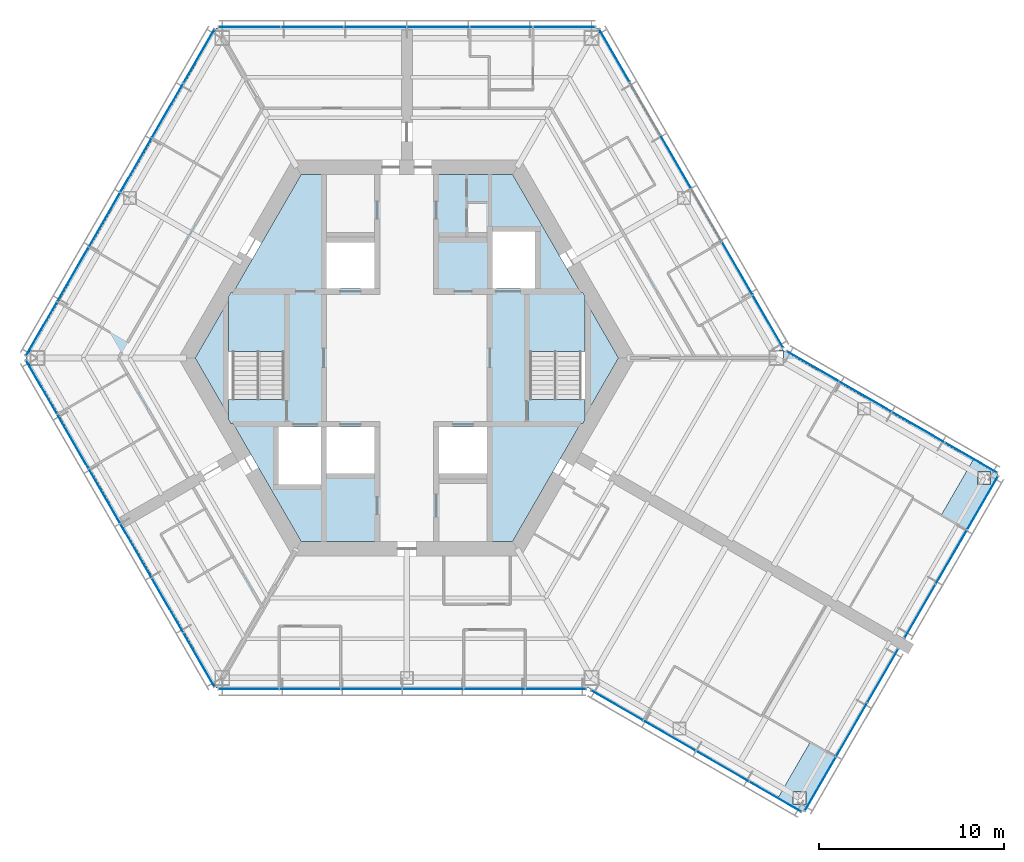
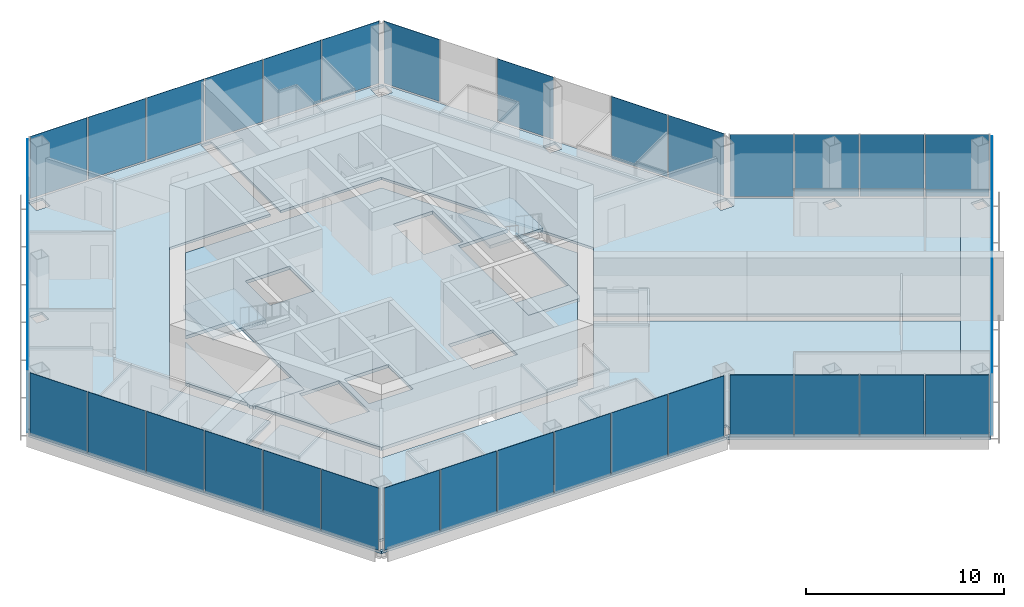
# One storey, part 8 of 17: 42 plates, 9 slabs, 11 elements without a shape of their own.
"""IFC4 building model written with IfcOpenShell, lengths in metres."""

from ifc_helpers import new_model, si_unit, direction, frame, origin, origin_2d, place, context, subcontext, project, spatial, polyline, rectangle, outline, extrude, material, layer, layer_set, type_object, element, aggregate, save


model = new_model("IFC4")

# Units and contexts
model_context = context("Model", 3, precision=1e-05, world=origin(), true_north=direction((0.0, 1.0)))
body_context = subcontext(model_context, "Body", "Model", "MODEL_VIEW")
ifc_project = project(units=[si_unit("LENGTHUNIT", "METRE"), si_unit("AREAUNIT", "SQUARE_METRE"), si_unit("VOLUMEUNIT", "CUBIC_METRE"), si_unit("PLANEANGLEUNIT", "RADIAN"), si_unit("MASSUNIT", "GRAM", prefix="KILO")], contexts=[model_context])

# Site, building, storey
site_placement = place(None, origin())
site = spatial("IfcSite", under=ifc_project, at=site_placement, CompositionType="ELEMENT")
building_placement = place(site_placement, origin())
building = spatial("IfcBuilding", under=site, at=building_placement, Name="Kasaneha Research Tower", CompositionType="ELEMENT")
storey_placement = place(building_placement, frame((0.0, 0.0, 228.39990234375)))
storey = spatial("IfcBuildingStorey", under=building, at=storey_placement, Name="L57", CompositionType="ELEMENT", Elevation=228.39990234375)

# Curtain wall, plates
ifc_material_1 = material(Name="Glass and aluminium", Category="aluminium")
curtain_wall_type = type_object("IfcCurtainWallType", Name="High-rise office curtain wall", PredefinedType="USERDEFINED", material=ifc_material_1)
curtain_wall_1_placement = place(storey_placement, origin())
curtain_wall_1 = element("IfcCurtainWall", 1, at=curtain_wall_1_placement, inside=storey, type_object=curtain_wall_type, Name="CW-O3 L57 run 01a", ObjectType="UNITISED CURTAIN WALL", PredefinedType="USERDEFINED")
ifc_material_2 = material(Name="Laminated double glazing", Category="glass")
ifc_layer_1 = layer(ifc_material_2, 0.02392578125)
ifc_layer_set_1 = layer_set([ifc_layer_1], Name="CW-O3 glazed panel")
plate_type = type_object("IfcPlateType", Name="CW-O3 glazed panel", PredefinedType="CURTAIN_PANEL", material=ifc_layer_set_1)
plate_1_placement = place(storey_placement, frame((19.549072265625, 1.981201171875, 0.06005859375), z_axis=(0.0, 0.0, 1.0), x_axis=(-0.499999979232, 0.866025415775, 0.0)))
plate_1 = element("IfcPlate", 2, at=plate_1_placement, type_object=plate_type, Name="CW-O3 panel 1", PredefinedType="CURTAIN_PANEL", context=body_context, shape_type="SweptSolid", body=[
    extrude(rectangle(XDim=3.240966796875, YDim=0.02392578125, at=origin_2d()), origin(), (0.0, 0.0, 1.0), 3.840087890625),
])
plate_2_placement = place(storey_placement, frame((17.89111328125, 4.852783203125, 0.06005859375), z_axis=(0.0, 0.0, 1.0), x_axis=(-0.499999979232, 0.866025415775, 0.0)))
plate_2 = element("IfcPlate", 3, at=plate_2_placement, type_object=plate_type, Name="CW-O3 panel 2", PredefinedType="CURTAIN_PANEL", context=body_context, shape_type="SweptSolid", body=[
    extrude(rectangle(XDim=3.27099609375, YDim=0.02392578125, at=origin_2d()), origin(), (0.0, 0.0, 1.0), 3.840087890625),
])
plate_3_placement = place(storey_placement, frame((14.56005859375, 10.622314453125, 0.06005859375), z_axis=(0.0, 0.0, 1.0), x_axis=(-0.499999979232, 0.866025415775, 0.0)))
plate_3 = element("IfcPlate", 4, at=plate_3_placement, type_object=plate_type, Name="CW-O3 panel 4", PredefinedType="CURTAIN_PANEL", context=body_context, shape_type="SweptSolid", body=[
    extrude(rectangle(XDim=3.27099609375, YDim=0.02392578125, at=origin_2d()), origin(), (0.0, 0.0, 1.0), 3.840087890625),
])
plate_4_placement = place(storey_placement, frame((11.236572265625, 16.378662109375, 0.06005859375), z_axis=(0.0, 0.0, 1.0), x_axis=(-0.499999979232, 0.866025415775, 0.0)))
plate_4 = element("IfcPlate", 5, at=plate_4_placement, type_object=plate_type, Name="CW-O3 panel 6", PredefinedType="CURTAIN_PANEL", context=body_context, shape_type="SweptSolid", body=[
    extrude(rectangle(XDim=3.240966796875, YDim=0.02392578125, at=origin_2d()), origin(), (0.0, 0.0, 1.0), 3.840087890625),
])
aggregate(curtain_wall_1, [plate_1, plate_2, plate_3, plate_4])

curtain_wall_2_placement = place(storey_placement, origin())
curtain_wall_2 = element("IfcCurtainWall", 6, at=curtain_wall_2_placement, inside=storey, type_object=curtain_wall_type, Name="CW-O3 L57 run 02a", ObjectType="UNITISED CURTAIN WALL", PredefinedType="USERDEFINED")
plate_5_placement = place(storey_placement, frame((8.523681640625, 17.92041015625, 0.06005859375), z_axis=(0.0, 0.0, 1.0), x_axis=(-1.0, 0.0, 0.0)))
plate_5 = element("IfcPlate", 7, at=plate_5_placement, type_object=plate_type, Name="CW-O3 panel 1", PredefinedType="CURTAIN_PANEL", context=body_context, shape_type="SweptSolid", body=[
    extrude(rectangle(XDim=3.325439453125, YDim=0.02392578125, at=origin_2d()), origin(), (0.0, 0.0, 1.0), 3.840087890625),
])
plate_6_placement = place(storey_placement, frame((5.123291015625, 17.92041015625, 0.06005859375), z_axis=(0.0, 0.0, 1.0), x_axis=(-1.0, 0.0, 0.0)))
plate_6 = element("IfcPlate", 8, at=plate_6_placement, type_object=plate_type, Name="CW-O3 panel 2", PredefinedType="CURTAIN_PANEL", context=body_context, shape_type="SweptSolid", body=[
    extrude(rectangle(XDim=3.35546875, YDim=0.02392578125, at=origin_2d()), origin(), (0.0, 0.0, 1.0), 3.840087890625),
])
plate_7_placement = place(storey_placement, frame((1.707763671875, 17.92041015625, 0.06005859375), z_axis=(0.0, 0.0, 1.0), x_axis=(-1.0, 0.0, 0.0)))
plate_7 = element("IfcPlate", 9, at=plate_7_placement, type_object=plate_type, Name="CW-O3 panel 3", PredefinedType="CURTAIN_PANEL", context=body_context, shape_type="SweptSolid", body=[
    extrude(rectangle(XDim=3.35546875, YDim=0.02392578125, at=origin_2d()), origin(), (0.0, 0.0, 1.0), 3.840087890625),
])
plate_8_placement = place(storey_placement, frame((-1.707763671875, 17.92041015625, 0.06005859375), z_axis=(0.0, 0.0, 1.0), x_axis=(-1.0, 0.0, 0.0)))
plate_8 = element("IfcPlate", 10, at=plate_8_placement, type_object=plate_type, Name="CW-O3 panel 4", PredefinedType="CURTAIN_PANEL", context=body_context, shape_type="SweptSolid", body=[
    extrude(rectangle(XDim=3.35546875, YDim=0.02392578125, at=origin_2d()), origin(), (0.0, 0.0, 1.0), 3.840087890625),
])
plate_9_placement = place(storey_placement, frame((-5.123291015625, 17.92041015625, 0.06005859375), z_axis=(0.0, 0.0, 1.0), x_axis=(-1.0, 0.0, 0.0)))
plate_9 = element("IfcPlate", 11, at=plate_9_placement, type_object=plate_type, Name="CW-O3 panel 5", PredefinedType="CURTAIN_PANEL", context=body_context, shape_type="SweptSolid", body=[
    extrude(rectangle(XDim=3.35546875, YDim=0.02392578125, at=origin_2d()), origin(), (0.0, 0.0, 1.0), 3.840087890625),
])
plate_10_placement = place(storey_placement, frame((-8.523681640625, 17.92041015625, 0.06005859375), z_axis=(0.0, 0.0, 1.0), x_axis=(-1.0, 0.0, 0.0)))
plate_10 = element("IfcPlate", 12, at=plate_10_placement, type_object=plate_type, Name="CW-O3 panel 6", PredefinedType="CURTAIN_PANEL", context=body_context, shape_type="SweptSolid", body=[
    extrude(rectangle(XDim=3.325439453125, YDim=0.02392578125, at=origin_2d()), origin(), (0.0, 0.0, 1.0), 3.840087890625),
])
aggregate(curtain_wall_2, [plate_5, plate_6, plate_7, plate_8, plate_9, plate_10])

curtain_wall_3_placement = place(storey_placement, origin())
curtain_wall_3 = element("IfcCurtainWall", 13, at=curtain_wall_3_placement, inside=storey, type_object=curtain_wall_type, Name="CW-O3 L57 run 03a", ObjectType="UNITISED CURTAIN WALL", PredefinedType="USERDEFINED")
plate_11_placement = place(storey_placement, frame((-11.2578125, 16.342041015625, 0.06005859375), z_axis=(0.0, 0.0, 1.0), x_axis=(-0.499999995722, -0.866025406254, 0.0)))
plate_11 = element("IfcPlate", 14, at=plate_11_placement, type_object=plate_type, Name="CW-O3 panel 1", PredefinedType="CURTAIN_PANEL", context=body_context, shape_type="SweptSolid", body=[
    extrude(rectangle(XDim=3.325439453125, YDim=0.02392578125, at=origin_2d()), origin(), (0.0, 0.0, 1.0), 3.840087890625),
])
plate_12_placement = place(storey_placement, frame((-12.9580078125, 13.39697265625, 0.06005859375), z_axis=(0.0, 0.0, 1.0), x_axis=(-0.499999995722, -0.866025406254, 0.0)))
plate_12 = element("IfcPlate", 15, at=plate_12_placement, type_object=plate_type, Name="CW-O3 panel 2", PredefinedType="CURTAIN_PANEL", context=body_context, shape_type="SweptSolid", body=[
    extrude(rectangle(XDim=3.35546875, YDim=0.02392578125, at=origin_2d()), origin(), (0.0, 0.0, 1.0), 3.840087890625),
])
plate_13_placement = place(storey_placement, frame((-14.665771484375, 10.439208984375, 0.06005859375), z_axis=(0.0, 0.0, 1.0), x_axis=(-0.499999995722, -0.866025406254, 0.0)))
plate_13 = element("IfcPlate", 16, at=plate_13_placement, type_object=plate_type, Name="CW-O3 panel 3", PredefinedType="CURTAIN_PANEL", context=body_context, shape_type="SweptSolid", body=[
    extrude(rectangle(XDim=3.35546875, YDim=0.02392578125, at=origin_2d()), origin(), (0.0, 0.0, 1.0), 3.840087890625),
])
plate_14_placement = place(storey_placement, frame((-16.37353515625, 7.481201171875, 0.06005859375), z_axis=(0.0, 0.0, 1.0), x_axis=(-0.499999995722, -0.866025406254, 0.0)))
plate_14 = element("IfcPlate", 17, at=plate_14_placement, type_object=plate_type, Name="CW-O3 panel 4", PredefinedType="CURTAIN_PANEL", context=body_context, shape_type="SweptSolid", body=[
    extrude(rectangle(XDim=3.35546875, YDim=0.02392578125, at=origin_2d()), origin(), (0.0, 0.0, 1.0), 3.840087890625),
])
plate_15_placement = place(storey_placement, frame((-18.081298828125, 4.5234375, 0.06005859375), z_axis=(0.0, 0.0, 1.0), x_axis=(-0.499999995722, -0.866025406254, 0.0)))
plate_15 = element("IfcPlate", 18, at=plate_15_placement, type_object=plate_type, Name="CW-O3 panel 5", PredefinedType="CURTAIN_PANEL", context=body_context, shape_type="SweptSolid", body=[
    extrude(rectangle(XDim=3.35546875, YDim=0.02392578125, at=origin_2d()), origin(), (0.0, 0.0, 1.0), 3.840087890625),
])
plate_16_placement = place(storey_placement, frame((-19.781494140625, 1.57861328125, 0.06005859375), z_axis=(0.0, 0.0, 1.0), x_axis=(-0.499999995722, -0.866025406254, 0.0)))
plate_16 = element("IfcPlate", 19, at=plate_16_placement, type_object=plate_type, Name="CW-O3 panel 6", PredefinedType="CURTAIN_PANEL", context=body_context, shape_type="SweptSolid", body=[
    extrude(rectangle(XDim=3.325439453125, YDim=0.02392578125, at=origin_2d()), origin(), (0.0, 0.0, 1.0), 3.840087890625),
])
aggregate(curtain_wall_3, [plate_11, plate_12, plate_13, plate_14, plate_15, plate_16])

curtain_wall_4_placement = place(storey_placement, origin())
curtain_wall_4 = element("IfcCurtainWall", 20, at=curtain_wall_4_placement, inside=storey, type_object=curtain_wall_type, Name="CW-O3 L57 run 04a", ObjectType="UNITISED CURTAIN WALL", PredefinedType="USERDEFINED")
plate_17_placement = place(storey_placement, frame((-19.781494140625, -1.57861328125, 0.06005859375), z_axis=(0.0, 0.0, 1.0), x_axis=(0.499999995722, -0.866025406254, 0.0)))
plate_17 = element("IfcPlate", 21, at=plate_17_placement, type_object=plate_type, Name="CW-O3 panel 1", PredefinedType="CURTAIN_PANEL", context=body_context, shape_type="SweptSolid", body=[
    extrude(rectangle(XDim=3.325439453125, YDim=0.02392578125, at=origin_2d()), origin(), (0.0, 0.0, 1.0), 3.840087890625),
])
plate_18_placement = place(storey_placement, frame((-18.081298828125, -4.5234375, 0.06005859375), z_axis=(0.0, 0.0, 1.0), x_axis=(0.499999995722, -0.866025406254, 0.0)))
plate_18 = element("IfcPlate", 22, at=plate_18_placement, type_object=plate_type, Name="CW-O3 panel 2", PredefinedType="CURTAIN_PANEL", context=body_context, shape_type="SweptSolid", body=[
    extrude(rectangle(XDim=3.35546875, YDim=0.02392578125, at=origin_2d()), origin(), (0.0, 0.0, 1.0), 3.840087890625),
])
plate_19_placement = place(storey_placement, frame((-16.37353515625, -7.481201171875, 0.06005859375), z_axis=(0.0, 0.0, 1.0), x_axis=(0.499999995722, -0.866025406254, 0.0)))
plate_19 = element("IfcPlate", 23, at=plate_19_placement, type_object=plate_type, Name="CW-O3 panel 3", PredefinedType="CURTAIN_PANEL", context=body_context, shape_type="SweptSolid", body=[
    extrude(rectangle(XDim=3.35546875, YDim=0.02392578125, at=origin_2d()), origin(), (0.0, 0.0, 1.0), 3.840087890625),
])
plate_20_placement = place(storey_placement, frame((-14.665771484375, -10.439208984375, 0.06005859375), z_axis=(0.0, 0.0, 1.0), x_axis=(0.499999995722, -0.866025406254, 0.0)))
plate_20 = element("IfcPlate", 24, at=plate_20_placement, type_object=plate_type, Name="CW-O3 panel 4", PredefinedType="CURTAIN_PANEL", context=body_context, shape_type="SweptSolid", body=[
    extrude(rectangle(XDim=3.35546875, YDim=0.02392578125, at=origin_2d()), origin(), (0.0, 0.0, 1.0), 3.840087890625),
])
plate_21_placement = place(storey_placement, frame((-12.9580078125, -13.39697265625, 0.06005859375), z_axis=(0.0, 0.0, 1.0), x_axis=(0.499999995722, -0.866025406254, 0.0)))
plate_21 = element("IfcPlate", 25, at=plate_21_placement, type_object=plate_type, Name="CW-O3 panel 5", PredefinedType="CURTAIN_PANEL", context=body_context, shape_type="SweptSolid", body=[
    extrude(rectangle(XDim=3.35546875, YDim=0.02392578125, at=origin_2d()), origin(), (0.0, 0.0, 1.0), 3.840087890625),
])
plate_22_placement = place(storey_placement, frame((-11.2578125, -16.342041015625, 0.06005859375), z_axis=(0.0, 0.0, 1.0), x_axis=(0.499999995722, -0.866025406254, 0.0)))
plate_22 = element("IfcPlate", 26, at=plate_22_placement, type_object=plate_type, Name="CW-O3 panel 6", PredefinedType="CURTAIN_PANEL", context=body_context, shape_type="SweptSolid", body=[
    extrude(rectangle(XDim=3.325439453125, YDim=0.02392578125, at=origin_2d()), origin(), (0.0, 0.0, 1.0), 3.840087890625),
])
aggregate(curtain_wall_4, [plate_17, plate_18, plate_19, plate_20, plate_21, plate_22])

curtain_wall_5_placement = place(storey_placement, origin())
curtain_wall_5 = element("IfcCurtainWall", 27, at=curtain_wall_5_placement, inside=storey, type_object=curtain_wall_type, Name="CW-O3 L57 run 05a", ObjectType="UNITISED CURTAIN WALL", PredefinedType="USERDEFINED")
plate_23_placement = place(storey_placement, frame((-8.56591796875, -17.92041015625, 0.06005859375), z_axis=(0.0, 0.0, 1.0), x_axis=(1.0, 0.0, 0.0)))
plate_23 = element("IfcPlate", 28, at=plate_23_placement, type_object=plate_type, Name="CW-O3 panel 1", PredefinedType="CURTAIN_PANEL", context=body_context, shape_type="SweptSolid", body=[
    extrude(rectangle(XDim=3.240966796875, YDim=0.02392578125, at=origin_2d()), origin(), (0.0, 0.0, 1.0), 3.840087890625),
])
plate_24_placement = place(storey_placement, frame((-5.25, -17.92041015625, 0.06005859375), z_axis=(0.0, 0.0, 1.0), x_axis=(1.0, 0.0, 0.0)))
plate_24 = element("IfcPlate", 29, at=plate_24_placement, type_object=plate_type, Name="CW-O3 panel 2", PredefinedType="CURTAIN_PANEL", context=body_context, shape_type="SweptSolid", body=[
    extrude(rectangle(XDim=3.27099609375, YDim=0.02392578125, at=origin_2d()), origin(), (0.0, 0.0, 1.0), 3.840087890625),
])
plate_25_placement = place(storey_placement, frame((-1.9189453125, -17.92041015625, 0.06005859375), z_axis=(0.0, 0.0, 1.0), x_axis=(1.0, 0.0, 0.0)))
plate_25 = element("IfcPlate", 30, at=plate_25_placement, type_object=plate_type, Name="CW-O3 panel 3", PredefinedType="CURTAIN_PANEL", context=body_context, shape_type="SweptSolid", body=[
    extrude(rectangle(XDim=3.27099609375, YDim=0.02392578125, at=origin_2d()), origin(), (0.0, 0.0, 1.0), 3.840087890625),
])
plate_26_placement = place(storey_placement, frame((1.411865234375, -17.92041015625, 0.06005859375), z_axis=(0.0, 0.0, 1.0), x_axis=(1.0, 0.0, 0.0)))
plate_26 = element("IfcPlate", 31, at=plate_26_placement, type_object=plate_type, Name="CW-O3 panel 4", PredefinedType="CURTAIN_PANEL", context=body_context, shape_type="SweptSolid", body=[
    extrude(rectangle(XDim=3.27099609375, YDim=0.02392578125, at=origin_2d()), origin(), (0.0, 0.0, 1.0), 3.840087890625),
])
plate_27_placement = place(storey_placement, frame((4.742919921875, -17.92041015625, 0.06005859375), z_axis=(0.0, 0.0, 1.0), x_axis=(1.0, 0.0, 0.0)))
plate_27 = element("IfcPlate", 32, at=plate_27_placement, type_object=plate_type, Name="CW-O3 panel 5", PredefinedType="CURTAIN_PANEL", context=body_context, shape_type="SweptSolid", body=[
    extrude(rectangle(XDim=3.27099609375, YDim=0.02392578125, at=origin_2d()), origin(), (0.0, 0.0, 1.0), 3.840087890625),
])
plate_28_placement = place(storey_placement, frame((8.058837890625, -17.92041015625, 0.06005859375), z_axis=(0.0, 0.0, 1.0), x_axis=(1.0, 0.0, 0.0)))
plate_28 = element("IfcPlate", 33, at=plate_28_placement, type_object=plate_type, Name="CW-O3 panel 6", PredefinedType="CURTAIN_PANEL", context=body_context, shape_type="SweptSolid", body=[
    extrude(rectangle(XDim=3.240966796875, YDim=0.02392578125, at=origin_2d()), origin(), (0.0, 0.0, 1.0), 3.840087890625),
])
aggregate(curtain_wall_5, [plate_23, plate_24, plate_25, plate_26, plate_27, plate_28])

curtain_wall_6_placement = place(storey_placement, origin())
curtain_wall_6 = element("IfcCurtainWall", 34, at=curtain_wall_6_placement, inside=storey, type_object=curtain_wall_type, Name="CW-O3 L57 run 06a", ObjectType="UNITISED CURTAIN WALL", PredefinedType="USERDEFINED")
plate_29_placement = place(storey_placement, frame((11.3720703125, -18.805419921875, 0.06005859375), z_axis=(0.0, 0.0, 1.0), x_axis=(0.866025411464, -0.499999986699, 0.0)))
plate_29 = element("IfcPlate", 35, at=plate_29_placement, type_object=plate_type, Name="CW-O3 panel 1", PredefinedType="CURTAIN_PANEL", context=body_context, shape_type="SweptSolid", body=[
    extrude(rectangle(XDim=3.2197265625, YDim=0.02392578125, at=origin_2d()), origin(), (0.0, 0.0, 1.0), 3.840087890625),
])
plate_30_placement = place(storey_placement, frame((14.225341796875, -20.452880859375, 0.06005859375), z_axis=(0.0, 0.0, 1.0), x_axis=(0.866025411464, -0.499999986699, 0.0)))
plate_30 = element("IfcPlate", 36, at=plate_30_placement, type_object=plate_type, Name="CW-O3 panel 2", PredefinedType="CURTAIN_PANEL", context=body_context, shape_type="SweptSolid", body=[
    extrude(rectangle(XDim=3.249755859375, YDim=0.02392578125, at=origin_2d()), origin(), (0.0, 0.0, 1.0), 3.840087890625),
])
plate_31_placement = place(storey_placement, frame((17.091796875, -22.107666015625, 0.06005859375), z_axis=(0.0, 0.0, 1.0), x_axis=(0.866025411464, -0.499999986699, 0.0)))
plate_31 = element("IfcPlate", 37, at=plate_31_placement, type_object=plate_type, Name="CW-O3 panel 3", PredefinedType="CURTAIN_PANEL", context=body_context, shape_type="SweptSolid", body=[
    extrude(rectangle(XDim=3.249755859375, YDim=0.02392578125, at=origin_2d()), origin(), (0.0, 0.0, 1.0), 3.840087890625),
])
plate_32_placement = place(storey_placement, frame((19.945068359375, -23.755126953125, 0.06005859375), z_axis=(0.0, 0.0, 1.0), x_axis=(0.866025411464, -0.499999986699, 0.0)))
plate_32 = element("IfcPlate", 38, at=plate_32_placement, type_object=plate_type, Name="CW-O3 panel 4", PredefinedType="CURTAIN_PANEL", context=body_context, shape_type="SweptSolid", body=[
    extrude(rectangle(XDim=3.2197265625, YDim=0.02392578125, at=origin_2d()), origin(), (0.0, 0.0, 1.0), 3.840087890625),
])
aggregate(curtain_wall_6, [plate_29, plate_30, plate_31, plate_32])

curtain_wall_7_placement = place(storey_placement, origin())
curtain_wall_7 = element("IfcCurtainWall", 39, at=curtain_wall_7_placement, inside=storey, type_object=curtain_wall_type, Name="CW-O3 L57 run 07a", ObjectType="UNITISED CURTAIN WALL", PredefinedType="USERDEFINED")
plate_33_placement = place(storey_placement, frame((22.385498046875, -23.068359375, 0.06005859375), z_axis=(0.0, 0.0, 1.0), x_axis=(0.500000011442, 0.866025397178, 0.0)))
plate_33 = element("IfcPlate", 40, at=plate_33_placement, type_object=plate_type, Name="CW-O3 panel 1", PredefinedType="CURTAIN_PANEL", context=body_context, shape_type="SweptSolid", body=[
    extrude(rectangle(XDim=3.31005859375, YDim=0.02392578125, at=origin_2d()), origin(), (0.0, 0.0, 1.0), 3.840087890625),
])
plate_34_placement = place(storey_placement, frame((24.077880859375, -20.13671875, 0.06005859375), z_axis=(0.0, 0.0, 1.0), x_axis=(0.500000011442, 0.866025397178, 0.0)))
plate_34 = element("IfcPlate", 41, at=plate_34_placement, type_object=plate_type, Name="CW-O3 panel 2", PredefinedType="CURTAIN_PANEL", context=body_context, shape_type="SweptSolid", body=[
    extrude(rectangle(XDim=3.340087890625, YDim=0.02392578125, at=origin_2d()), origin(), (0.0, 0.0, 1.0), 3.840087890625),
])
plate_35_placement = place(storey_placement, frame((25.7705078125, -17.205322265625, 0.06005859375), z_axis=(0.0, 0.0, 1.0), x_axis=(0.500000011442, 0.866025397178, 0.0)))
plate_35 = element("IfcPlate", 42, at=plate_35_placement, type_object=plate_type, Name="CW-O3 panel 3", PredefinedType="CURTAIN_PANEL", context=body_context, shape_type="SweptSolid", body=[
    extrude(rectangle(XDim=3.31005859375, YDim=0.02392578125, at=origin_2d()), origin(), (0.0, 0.0, 1.0), 3.840087890625),
])
aggregate(curtain_wall_7, [plate_33, plate_34, plate_35])

curtain_wall_8_placement = place(storey_placement, origin())
curtain_wall_8 = element("IfcCurtainWall", 43, at=curtain_wall_8_placement, inside=storey, type_object=curtain_wall_type, Name="CW-O3 L57 run 08a", ObjectType="UNITISED CURTAIN WALL", PredefinedType="USERDEFINED")
plate_36_placement = place(storey_placement, frame((27.785400390625, -13.71533203125, 0.06005859375), z_axis=(0.0, 0.0, 1.0), x_axis=(0.500000011442, 0.866025397178, 0.0)))
plate_36 = element("IfcPlate", 44, at=plate_36_placement, type_object=plate_type, Name="CW-O3 panel 1", PredefinedType="CURTAIN_PANEL", context=body_context, shape_type="SweptSolid", body=[
    extrude(rectangle(XDim=3.31005859375, YDim=0.02392578125, at=origin_2d()), origin(), (0.0, 0.0, 1.0), 3.840087890625),
])
plate_37_placement = place(storey_placement, frame((29.47802734375, -10.78369140625, 0.06005859375), z_axis=(0.0, 0.0, 1.0), x_axis=(0.500000011442, 0.866025397178, 0.0)))
plate_37 = element("IfcPlate", 45, at=plate_37_placement, type_object=plate_type, Name="CW-O3 panel 2", PredefinedType="CURTAIN_PANEL", context=body_context, shape_type="SweptSolid", body=[
    extrude(rectangle(XDim=3.340087890625, YDim=0.02392578125, at=origin_2d()), origin(), (0.0, 0.0, 1.0), 3.840087890625),
])
plate_38_placement = place(storey_placement, frame((31.17041015625, -7.852294921875, 0.06005859375), z_axis=(0.0, 0.0, 1.0), x_axis=(0.500000011442, 0.866025397178, 0.0)))
plate_38 = element("IfcPlate", 46, at=plate_38_placement, type_object=plate_type, Name="CW-O3 panel 3", PredefinedType="CURTAIN_PANEL", context=body_context, shape_type="SweptSolid", body=[
    extrude(rectangle(XDim=3.31005859375, YDim=0.02392578125, at=origin_2d()), origin(), (0.0, 0.0, 1.0), 3.840087890625),
])
aggregate(curtain_wall_8, [plate_36, plate_37, plate_38])

curtain_wall_9_placement = place(storey_placement, origin())
curtain_wall_9 = element("IfcCurtainWall", 47, at=curtain_wall_9_placement, inside=storey, type_object=curtain_wall_type, Name="CW-O3 L57 run 09a", ObjectType="UNITISED CURTAIN WALL", PredefinedType="USERDEFINED")
plate_39_placement = place(storey_placement, frame((30.545166015625, -5.3955078125, 0.06005859375), z_axis=(0.0, 0.0, 1.0), x_axis=(-0.866025411464, 0.499999986699, 0.0)))
plate_39 = element("IfcPlate", 48, at=plate_39_placement, type_object=plate_type, Name="CW-O3 panel 1", PredefinedType="CURTAIN_PANEL", context=body_context, shape_type="SweptSolid", body=[
    extrude(rectangle(XDim=3.2197265625, YDim=0.02392578125, at=origin_2d()), origin(), (0.0, 0.0, 1.0), 3.840087890625),
])
plate_40_placement = place(storey_placement, frame((27.69189453125, -3.748046875, 0.06005859375), z_axis=(0.0, 0.0, 1.0), x_axis=(-0.866025411464, 0.499999986699, 0.0)))
plate_40 = element("IfcPlate", 49, at=plate_40_placement, type_object=plate_type, Name="CW-O3 panel 2", PredefinedType="CURTAIN_PANEL", context=body_context, shape_type="SweptSolid", body=[
    extrude(rectangle(XDim=3.249755859375, YDim=0.02392578125, at=origin_2d()), origin(), (0.0, 0.0, 1.0), 3.840087890625),
])
plate_41_placement = place(storey_placement, frame((24.825439453125, -2.093017578125, 0.06005859375), z_axis=(0.0, 0.0, 1.0), x_axis=(-0.866025411464, 0.499999986699, 0.0)))
plate_41 = element("IfcPlate", 50, at=plate_41_placement, type_object=plate_type, Name="CW-O3 panel 3", PredefinedType="CURTAIN_PANEL", context=body_context, shape_type="SweptSolid", body=[
    extrude(rectangle(XDim=3.249755859375, YDim=0.02392578125, at=origin_2d()), origin(), (0.0, 0.0, 1.0), 3.840087890625),
])
plate_42_placement = place(storey_placement, frame((21.971923828125, -0.44580078125, 0.06005859375), z_axis=(0.0, 0.0, 1.0), x_axis=(-0.866025411464, 0.499999986699, 0.0)))
plate_42 = element("IfcPlate", 51, at=plate_42_placement, type_object=plate_type, Name="CW-O3 panel 4", PredefinedType="CURTAIN_PANEL", context=body_context, shape_type="SweptSolid", body=[
    extrude(rectangle(XDim=3.2197265625, YDim=0.02392578125, at=origin_2d()), origin(), (0.0, 0.0, 1.0), 3.840087890625),
])
aggregate(curtain_wall_9, [plate_39, plate_40, plate_41, plate_42])

# Slabs
ifc_material_3 = material(Name="Concrete Fc24", Category="concrete")
ifc_layer_2 = layer(ifc_material_3, 0.199951171875)
ifc_layer_set_2 = layer_set([ifc_layer_2], Name="Core floor slab 200")
slab_type_1 = type_object("IfcSlabType", Name="Core floor slab 200", PredefinedType="FLOOR", material=ifc_layer_set_2)
slab_1_placement = place(storey_placement, frame((0.0, 0.0, -0.199951171875)))
element("IfcSlab", 52, at=slab_1_placement, inside=storey, type_object=slab_type_1, Name="Core slab L57", PredefinedType="FLOOR", context=body_context, shape_type="SweptSolid", body=[
    extrude(outline(polyline([(-11.46044921875, 0.0), (-9.64990234375, 3.1357421875), (-9.64990234375, -3.1357421875), (-11.46044921875, 0.0)])), origin(), (0.0, 0.0, 1.0), 0.199951171875),
])
slab_2_placement = place(storey_placement, frame((0.0, 0.0, -0.199951171875)))
element("IfcSlab", 53, at=slab_2_placement, inside=storey, type_object=slab_type_1, Name="Core slab L57", PredefinedType="FLOOR", context=body_context, shape_type="SweptSolid", body=[
    extrude(outline(polyline([(-5.730224609375, 9.925048828125), (5.730224609375, 9.925048828125), (9.410888671875, 3.550048828125), (6.550048828125, 3.550048828125), (6.550048828125, -3.550048828125), (9.410888671875, -3.550048828125), (5.730224609375, -9.925048828125), (-5.730224609375, -9.925048828125), (-9.410888671875, -3.550048828125), (-6.550048828125, -3.550048828125), (-6.550048828125, 3.550048828125), (-9.410888671875, 3.550048828125), (-5.730224609375, 9.925048828125)]), holes=[polyline([(-6.949951171875, -6.85009765625), (-4.64990234375, -6.85009765625), (-4.64990234375, -3.75), (-6.949951171875, -3.75), (-6.949951171875, -6.85009765625)]), polyline([(-4.35009765625, -3.75), (-4.35009765625, -6.25), (-1.75, -6.25), (-1.75, -3.75), (-4.35009765625, -3.75)]), polyline([(1.75, -3.75), (1.75, -6.25), (4.35009765625, -6.25), (4.35009765625, -3.75), (1.75, -3.75)]), polyline([(-4.35009765625, 6.25), (-4.35009765625, 3.75), (-1.75, 3.75), (-1.75, 6.25), (-4.35009765625, 6.25)]), polyline([(4.64990234375, 6.85009765625), (4.64990234375, 3.75), (6.949951171875, 3.75), (6.949951171875, 6.85009765625), (4.64990234375, 6.85009765625)])]), origin(), (0.0, 0.0, 1.0), 0.199951171875),
])
slab_3_placement = place(storey_placement, frame((0.0, 0.0, -0.199951171875)))
element("IfcSlab", 54, at=slab_3_placement, inside=storey, type_object=slab_type_1, Name="Core slab L57", PredefinedType="FLOOR", context=body_context, shape_type="SweptSolid", body=[
    extrude(outline(polyline([(11.46044921875, 0.0), (9.64990234375, -3.1357421875), (9.64990234375, 3.1357421875), (11.46044921875, 0.0)])), origin(), (0.0, 0.0, 1.0), 0.199951171875),
])
ifc_material_4 = material(Name="Concrete Fc24", Category="concrete")
ifc_layer_3 = layer(ifc_material_4, 0.14990234375)
ifc_layer_set_3 = layer_set([ifc_layer_3], Name="Floor slab 150")
slab_type_2 = type_object("IfcSlabType", Name="Floor slab 150", PredefinedType="FLOOR", material=ifc_layer_set_3)
slab_4_placement = place(storey_placement, frame((0.0, 0.0, -0.14990234375)))
element("IfcSlab", 55, at=slab_4_placement, inside=storey, type_object=slab_type_2, Name="Floor slab L57 1", PredefinedType="FLOOR", context=body_context, shape_type="SweptSolid", body=[
    extrude(outline(polyline([(-10.317626953125, -17.87060546875), (-10.3974609375, -17.732177734375), (-10.385986328125, -17.720703125), (-9.599853515625, -17.720703125), (-9.599853515625, -16.92041015625), (-10.400146484375, -16.92041015625), (-10.400146484375, -17.70654296875), (-10.40771484375, -17.714111328125), (-20.635009765625, 0.0), (-20.40771484375, 0.3935546875), (-20.400146484375, 0.385986328125), (-20.400146484375, -0.400146484375), (-19.599853515625, -0.400146484375), (-19.599853515625, 0.400146484375), (-20.385986328125, 0.400146484375), (-20.3974609375, 0.41162109375), (-10.40771484375, 17.714111328125), (-10.400146484375, 17.70654296875), (-10.400146484375, 16.92041015625), (-9.599853515625, 16.92041015625), (-9.599853515625, 17.720703125), (-10.385986328125, 17.720703125), (-10.3974609375, 17.732177734375), (-10.317626953125, 17.87060546875), (10.317626953125, 17.87060546875), (10.3974609375, 17.732177734375), (10.385986328125, 17.720703125), (9.599853515625, 17.720703125), (9.599853515625, 16.92041015625), (10.400146484375, 16.92041015625), (10.400146484375, 17.70654296875), (10.40771484375, 17.714111328125), (20.3974609375, 0.41162109375), (20.385986328125, 0.400146484375), (19.599853515625, 0.400146484375), (19.599853515625, -0.400146484375), (20.400146484375, -0.400146484375), (20.400146484375, 0.385986328125), (20.41162109375, 0.3974609375), (30.65869140625, -5.518798828125), (25.53369140625, -14.3955078125), (9.438232421875, -5.102783203125), (12.38427734375, 0.0), (6.192138671875, 10.72509765625), (0.300048828125, 10.72509765625), (0.300048828125, 17.7705078125), (-0.300048828125, 17.7705078125), (-0.300048828125, 10.72509765625), (-6.192138671875, 10.72509765625), (-12.38427734375, 0.0), (-9.438232421875, -5.102783203125), (-15.539794921875, -8.62548828125), (-15.23974609375, -9.14501953125), (-9.13818359375, -5.622314453125), (-6.192138671875, -10.72509765625), (6.192138671875, -10.72509765625), (9.13818359375, -5.622314453125), (25.233642578125, -14.9150390625), (20.108642578125, -23.791748046875), (9.8525390625, -17.87060546875), (-10.317626953125, -17.87060546875)]), holes=[polyline([(-0.35009765625, -17.67041015625), (0.35009765625, -17.67041015625), (0.35009765625, -16.970458984375), (-0.35009765625, -16.970458984375), (-0.35009765625, -17.67041015625)]), polyline([(-15.35009765625, 8.310302734375), (-14.64990234375, 8.310302734375), (-14.64990234375, 9.01025390625), (-15.35009765625, 9.01025390625), (-15.35009765625, 8.310302734375)]), polyline([(14.4130859375, -20.42041015625), (15.113037109375, -20.42041015625), (15.113037109375, -19.720458984375), (14.4130859375, -19.720458984375), (14.4130859375, -20.42041015625)]), polyline([(9.60009765625, -17.720458984375), (10.39990234375, -17.720458984375), (10.39990234375, -16.92041015625), (9.60009765625, -16.92041015625), (9.60009765625, -17.720458984375)]), polyline([(24.4130859375, -3.10009765625), (25.113037109375, -3.10009765625), (25.113037109375, -2.39990234375), (24.4130859375, -2.39990234375), (24.4130859375, -3.10009765625)]), polyline([(14.64990234375, 9.01025390625), (14.64990234375, 8.310302734375), (15.35009765625, 8.310302734375), (15.35009765625, 9.01025390625), (14.64990234375, 9.01025390625)])]), origin(), (0.0, 0.0, 1.0), 0.14990234375),
])
slab_5_placement = place(storey_placement, frame((0.0, 0.0, -0.14990234375)))
element("IfcSlab", 56, at=slab_5_placement, inside=storey, type_object=slab_type_2, Name="Floor slab L57 2", PredefinedType="FLOOR", context=body_context, shape_type="SweptSolid", body=[
    extrude(outline(polyline([(32.009521484375, -6.298583984375), (21.459716796875, -24.57177734375), (20.108642578125, -23.791748046875), (25.233642578125, -14.9150390625), (25.2421875, -14.920166015625), (25.542236328125, -14.400390625), (25.53369140625, -14.3955078125), (30.65869140625, -5.518798828125), (32.009521484375, -6.298583984375)]), holes=[polyline([(20.908447265625, -24.17041015625), (21.6083984375, -24.17041015625), (21.6083984375, -23.470458984375), (20.908447265625, -23.470458984375), (20.908447265625, -24.17041015625)]), polyline([(30.908447265625, -6.85009765625), (31.6083984375, -6.85009765625), (31.6083984375, -6.14990234375), (30.908447265625, -6.14990234375), (30.908447265625, -6.85009765625)])]), origin(), (0.0, 0.0, 1.0), 0.14990234375),
])

# Stair, slabs
ifc_material_5 = material(Name="Concrete Fc24", Category="concrete")
stair_type = type_object("IfcStairType", Name="Half-turn stair 22 risers", PredefinedType="HALF_TURN_STAIR", material=ifc_material_5)
stair_1_placement = place(storey_placement, origin())
stair_1 = element("IfcStair", 57, at=stair_1_placement, inside=storey, type_object=stair_type, Name="Stair 1 L57", PredefinedType="HALF_TURN_STAIR")
ifc_material_6 = material(Name="Concrete Fc24", Category="concrete")
ifc_layer_4 = layer(ifc_material_6, 0.199951171875)
ifc_layer_set_4 = layer_set([ifc_layer_4], Name="Stair 1 landing 200")
slab_type_3 = type_object("IfcSlabType", Name="Stair 1 landing 200", PredefinedType="LANDING", material=ifc_layer_set_4)
slab_6_placement = place(storey_placement, frame((0.0, 0.0, -0.199951171875)))
slab_6 = element("IfcSlab", 58, at=slab_6_placement, type_object=slab_type_3, Name="ST1-22R landing 1", PredefinedType="LANDING", context=body_context, shape_type="SweptSolid", body=[
    extrude(outline(polyline([(9.5263671875, -3.550048828125), (6.550048828125, -3.550048828125), (6.550048828125, -2.25), (9.64990234375, -2.25), (9.64990234375, -3.335693359375), (9.5263671875, -3.550048828125)])), origin(), (0.0, 0.0, 1.0), 0.199951171875),
])
slab_7_placement = place(storey_placement, frame((0.0, 0.0, 1.75)))
slab_7 = element("IfcSlab", 59, at=slab_7_placement, type_object=slab_type_3, Name="ST1-22R landing 2", PredefinedType="LANDING", context=body_context, shape_type="SweptSolid", body=[
    extrude(outline(polyline([(6.550048828125, 3.550048828125), (9.5263671875, 3.550048828125), (9.64990234375, 3.335693359375), (9.64990234375, 0.35009765625), (6.550048828125, 0.35009765625), (6.550048828125, 3.550048828125)])), origin(), (0.0, 0.0, 1.0), 0.2001953125),
])
aggregate(stair_1, [slab_6, slab_7])

stair_2_placement = place(storey_placement, origin())
stair_2 = element("IfcStair", 60, at=stair_2_placement, inside=storey, type_object=stair_type, Name="Stair 2 L57", PredefinedType="HALF_TURN_STAIR")
ifc_material_7 = material(Name="Concrete Fc24", Category="concrete")
ifc_layer_5 = layer(ifc_material_7, 0.199951171875)
ifc_layer_set_5 = layer_set([ifc_layer_5], Name="Stair 2 landing 200")
slab_type_4 = type_object("IfcSlabType", Name="Stair 2 landing 200", PredefinedType="LANDING", material=ifc_layer_set_5)
slab_8_placement = place(storey_placement, frame((0.0, 0.0, -0.199951171875)))
slab_8 = element("IfcSlab", 61, at=slab_8_placement, type_object=slab_type_4, Name="ST2-22R landing 1", PredefinedType="LANDING", context=body_context, shape_type="SweptSolid", body=[
    extrude(outline(polyline([(-6.550048828125, -3.550048828125), (-9.5263671875, -3.550048828125), (-9.64990234375, -3.335693359375), (-9.64990234375, -2.25), (-6.550048828125, -2.25), (-6.550048828125, -3.550048828125)])), origin(), (0.0, 0.0, 1.0), 0.199951171875),
])
slab_9_placement = place(storey_placement, frame((0.0, 0.0, 1.75)))
slab_9 = element("IfcSlab", 62, at=slab_9_placement, type_object=slab_type_4, Name="ST2-22R landing 2", PredefinedType="LANDING", context=body_context, shape_type="SweptSolid", body=[
    extrude(outline(polyline([(-6.550048828125, 0.35009765625), (-9.64990234375, 0.35009765625), (-9.64990234375, 3.335693359375), (-9.5263671875, 3.550048828125), (-6.550048828125, 3.550048828125), (-6.550048828125, 0.35009765625)])), origin(), (0.0, 0.0, 1.0), 0.2001953125),
])
aggregate(stair_2, [slab_8, slab_9])

save(model, "model.ifc")
